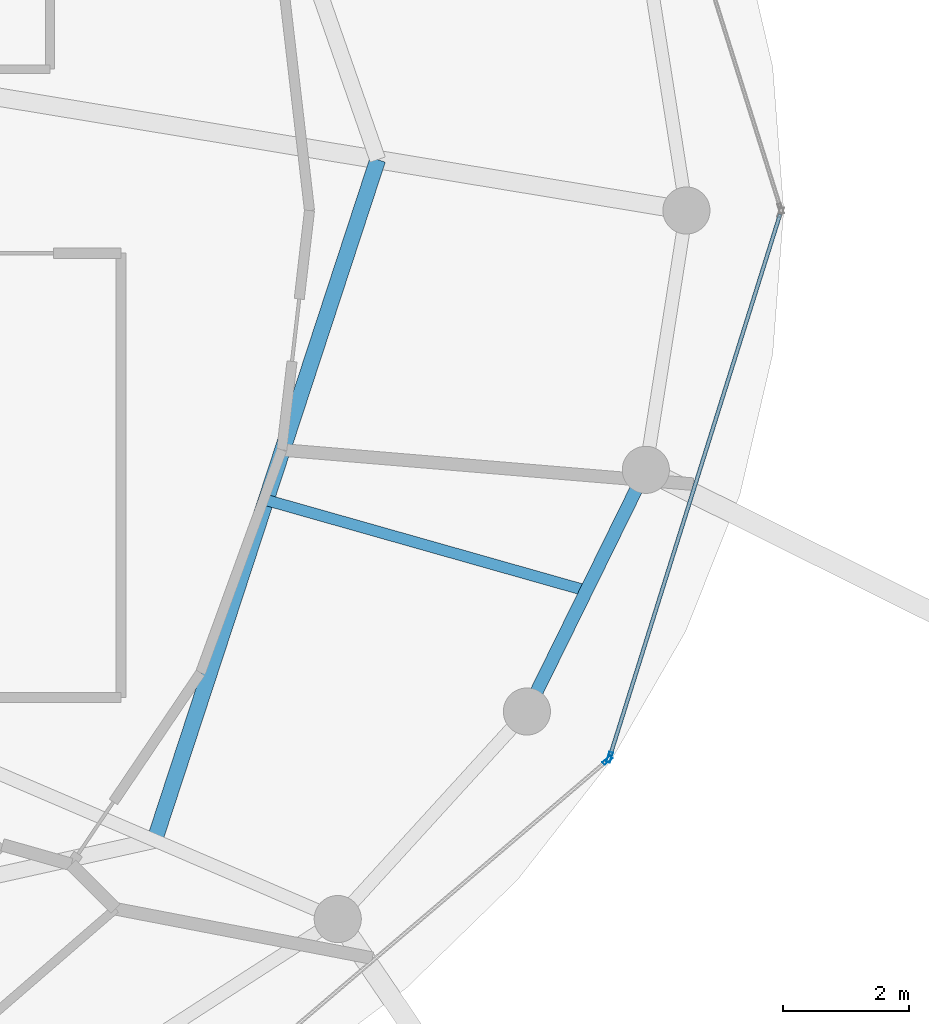
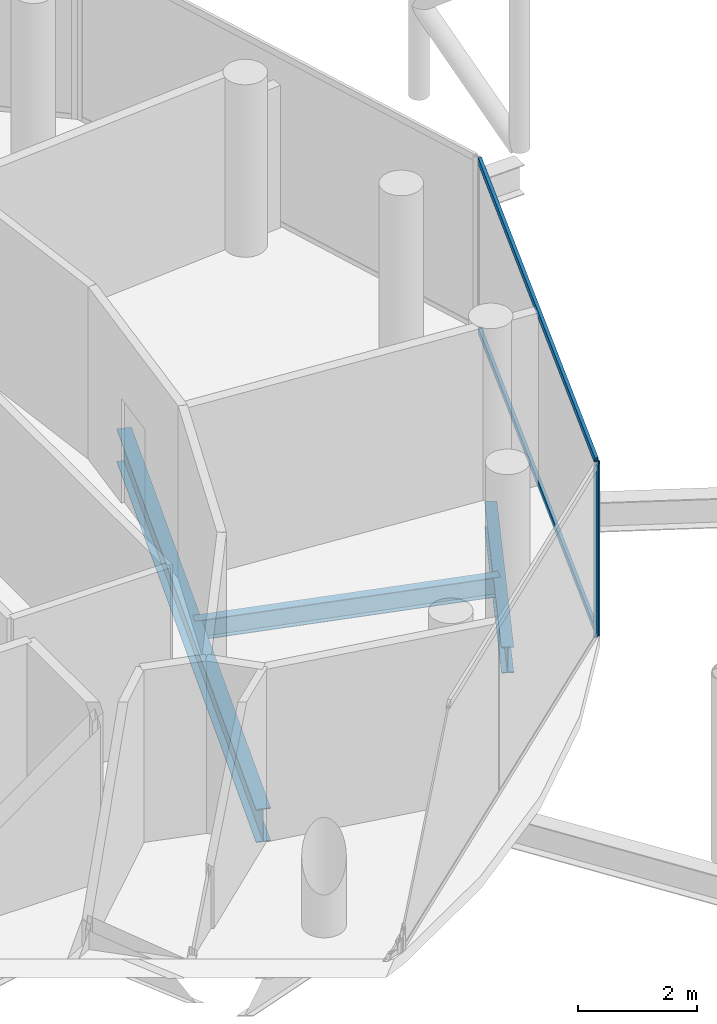
# One storey, part 10 of 24: 4 members, 3 beams, 2 elements without a shape of their own.
"""IFC4 building model written with IfcOpenShell, lengths in metres."""

from ifc_helpers import new_model, si_unit, direction, frame, origin, origin_2d, place, context, subcontext, project, spatial, hollow_rectangle, i_section, extrude, material, layer, layer_set, material_profile, profile_set, type_object, element, aggregate, save


model = new_model("IFC4")

# Units and contexts
model_context = context("Model", 3, precision=1e-05, world=origin(), true_north=direction((0.0, 1.0)))
body_context = subcontext(model_context, "Body", "Model", "MODEL_VIEW")
ifc_project = project(units=[si_unit("LENGTHUNIT", "METRE"), si_unit("AREAUNIT", "SQUARE_METRE"), si_unit("VOLUMEUNIT", "CUBIC_METRE"), si_unit("PLANEANGLEUNIT", "RADIAN"), si_unit("MASSUNIT", "GRAM", prefix="KILO")], contexts=[model_context])

# Site, building, storey
site_placement = place(None, origin())
site = spatial("IfcSite", under=ifc_project, at=site_placement, CompositionType="ELEMENT")
building_placement = place(site_placement, origin())
building = spatial("IfcBuilding", under=site, at=building_placement, Name="Nuhasar Tower", CompositionType="ELEMENT")
storey_placement = place(building_placement, frame((0.0, 0.0, 286.0)))
storey = spatial("IfcBuildingStorey", under=building, at=storey_placement, Name="L71", CompositionType="ELEMENT", Elevation=286.0)

# Beams
ifc_material_1 = material(Name="Steel S355", Category="steel")
ifc_material_profile_1 = material_profile(ifc_material_1, i_section(OverallWidth=0.25390625, OverallDepth=0.68408203125, WebThickness=0.012451171875, FlangeThickness=0.018798828125, at=origin_2d()), Name="W27X94")
ifc_profile_set_1 = profile_set([ifc_material_profile_1], Name="Steel S355")
beam_type_1 = type_object("IfcBeamType", Name="BM-INRING-W27X94", PredefinedType="BEAM", material=ifc_profile_set_1)
beam_1_placement = place(storey_placement, frame((49.48388671875, 16.77392578125, -0.60205078125), z_axis=(0.311483801376, 0.950251462235, 0.0), x_axis=(-0.950251462235, 0.311483801376, 0.0)))
element("IfcBeam", 1, at=beam_1_placement, inside=storey, type_object=beam_type_1, Name="L71 Inner Header Beam 03", PredefinedType="BEAM", context=body_context, shape_type="SweptSolid", body=[
    extrude(i_section(OverallWidth=0.25390625, OverallDepth=0.68408203125, WebThickness=0.012451171875, FlangeThickness=0.018798828125, at=origin_2d()), origin(), (0.0, 0.0, 1.0), 11.403564453125),
])
ifc_material_profile_2 = material_profile(ifc_material_1, i_section(OverallWidth=0.177978515625, OverallDepth=0.406005859375, WebThickness=0.0078125, FlangeThickness=0.0126953125, at=origin_2d()), Name="W16X40")
ifc_profile_set_2 = profile_set([ifc_material_profile_2], Name="Steel S355")
beam_type_2 = type_object("IfcBeamType", Name="BM-JST-W16X40", PredefinedType="JOIST", material=ifc_profile_set_2)
beam_2_placement = place(storey_placement, frame((51.260009765625, 22.19189453125, -0.462890625), z_axis=(0.962154316042, -0.272505178156, 0.0), x_axis=(0.272505178156, 0.962154316042, 0.0)))
element("IfcBeam", 2, at=beam_2_placement, inside=storey, type_object=beam_type_2, Name="L71 Secondary Floor Joist 03", PredefinedType="JOIST", context=body_context, shape_type="SweptSolid", body=[
    extrude(i_section(OverallWidth=0.177978515625, OverallDepth=0.406005859375, WebThickness=0.0078125, FlangeThickness=0.0126953125, at=origin_2d()), origin(), (0.0, 0.0, 1.0), 5.29833984375),
])
ifc_material_profile_3 = material_profile(ifc_material_1, i_section(OverallWidth=0.2099609375, OverallDepth=0.537109375, WebThickness=0.010986328125, FlangeThickness=0.017333984375, at=origin_2d()), Name="W21X68")
ifc_profile_set_3 = profile_set([ifc_material_profile_3], Name="Steel S355")
beam_type_3 = type_object("IfcBeamType", Name="BM-RING-W21X68", PredefinedType="SPANDREL", material=ifc_profile_set_3)
beam_3_placement = place(storey_placement, frame((55.410888671875, 18.824951171875, -0.529052734375), z_axis=(0.441510561726, 0.897256052576, 0.0), x_axis=(-0.897256052576, 0.441510561726, 0.0)))
element("IfcBeam", 3, at=beam_3_placement, inside=storey, type_object=beam_type_3, Name="L71 Perimeter Ring Spandrel 23", PredefinedType="SPANDREL", context=body_context, shape_type="SweptSolid", body=[
    extrude(i_section(OverallWidth=0.2099609375, OverallDepth=0.537109375, WebThickness=0.010986328125, FlangeThickness=0.017333984375, at=origin_2d()), origin(), (0.0, 0.0, 1.0), 4.28759765625),
])

# Curtain wall, member
ifc_material_2 = material(Name="Aluminium 6063-T6", Category="aluminium")
ifc_layer = layer(ifc_material_2, 0.18994140625)
ifc_layer_set = layer_set([ifc_layer], Name="Aluminium 6063-T6")
curtain_wall_type = type_object("IfcCurtainWallType", Name="CW-Z4-PEN", PredefinedType="NOTDEFINED", material=ifc_layer_set)
curtain_wall_1_placement = place(storey_placement, origin())
curtain_wall_1 = element("IfcCurtainWall", 4, at=curtain_wall_1_placement, inside=storey, type_object=curtain_wall_type, Name="L71 Unitised Curtain Wall 11", PredefinedType="NOTDEFINED")
ifc_material_profile_4 = material_profile(ifc_material_2, hollow_rectangle(XDim=0.06005859375, YDim=0.1650390625, WallThickness=0.0048828125, at=origin_2d()), Name="CWM-5")
ifc_profile_set_4 = profile_set([ifc_material_profile_4], Name="Aluminium 6063-T6")
member_type_1 = type_object("IfcMemberType", Name="CW-MUL-S5", PredefinedType="MULLION", material=ifc_profile_set_4)
member_1_placement = place(storey_placement, frame((56.6962890625, 18.050537109375, 0.0), z_axis=(0.0, 0.0, 1.0), x_axis=(-0.649141996205, 0.760667252327, 0.0)))
member_1 = element("IfcMember", 5, at=member_1_placement, type_object=member_type_1, Name="CW-Z4 mullion 2", PredefinedType="MULLION", context=body_context, shape_type="SweptSolid", body=[
    extrude(hollow_rectangle(XDim=0.06005859375, YDim=0.1650390625, WallThickness=0.0048828125, at=origin_2d()), origin(), (0.0, 0.0, 1.0), 3.5400390625),
])
aggregate(curtain_wall_1, [member_1])

# Curtain wall, members
curtain_wall_2_placement = place(storey_placement, origin())
curtain_wall_2 = element("IfcCurtainWall", 6, at=curtain_wall_2_placement, inside=storey, type_object=curtain_wall_type, Name="L71 Unitised Curtain Wall 12", PredefinedType="NOTDEFINED")
member_2_placement = place(storey_placement, frame((56.72802734375, 18.0986328125, 0.0), z_axis=(0.0, 0.0, 1.0), x_axis=(-0.954078526601, 0.299556614146, 0.0)))
member_2 = element("IfcMember", 7, at=member_2_placement, type_object=member_type_1, Name="CW-Z4 mullion 1", PredefinedType="MULLION", context=body_context, shape_type="SweptSolid", body=[
    extrude(hollow_rectangle(XDim=0.06005859375, YDim=0.1650390625, WallThickness=0.0048828125, at=origin_2d()), origin(), (0.0, 0.0, 1.0), 3.5400390625),
])
ifc_material_profile_5 = material_profile(ifc_material_2, hollow_rectangle(XDim=0.06005859375, YDim=0.135009765625, WallThickness=0.00439453125, at=origin_2d()), Name="CWT-5")
ifc_profile_set_5 = profile_set([ifc_material_profile_5], Name="Aluminium 6063-T6")
member_type_2 = type_object("IfcMemberType", Name="CW-TRN-S5", PredefinedType="USERDEFINED", material=ifc_profile_set_5)
member_3_placement = place(storey_placement, frame((56.737060546875, 18.127197265625, 0.030029296875), z_axis=(0.29956014073, 0.954077419335, 0.0), x_axis=(-0.954077419335, 0.29956014073, 0.0)))
member_3 = element("IfcMember", 8, at=member_3_placement, type_object=member_type_2, Name="CW-Z4 transom 1.1", ObjectType="TRANSOM", PredefinedType="USERDEFINED", context=body_context, shape_type="SweptSolid", body=[
    extrude(hollow_rectangle(XDim=0.06005859375, YDim=0.135009765625, WallThickness=0.00439453125, at=origin_2d()), origin(), (0.0, 0.0, 1.0), 9.0302734375),
])
member_4_placement = place(storey_placement, frame((56.737060546875, 18.127197265625, 3.510009765625), z_axis=(0.29956014073, 0.954077419335, 0.0), x_axis=(-0.954077419335, 0.29956014073, 0.0)))
member_4 = element("IfcMember", 9, at=member_4_placement, type_object=member_type_2, Name="CW-Z4 transom 1.2", ObjectType="TRANSOM", PredefinedType="USERDEFINED", context=body_context, shape_type="SweptSolid", body=[
    extrude(hollow_rectangle(XDim=0.06005859375, YDim=0.135009765625, WallThickness=0.00439453125, at=origin_2d()), origin(), (0.0, 0.0, 1.0), 9.0302734375),
])
aggregate(curtain_wall_2, [member_2, member_3, member_4])

save(model, "model.ifc")
